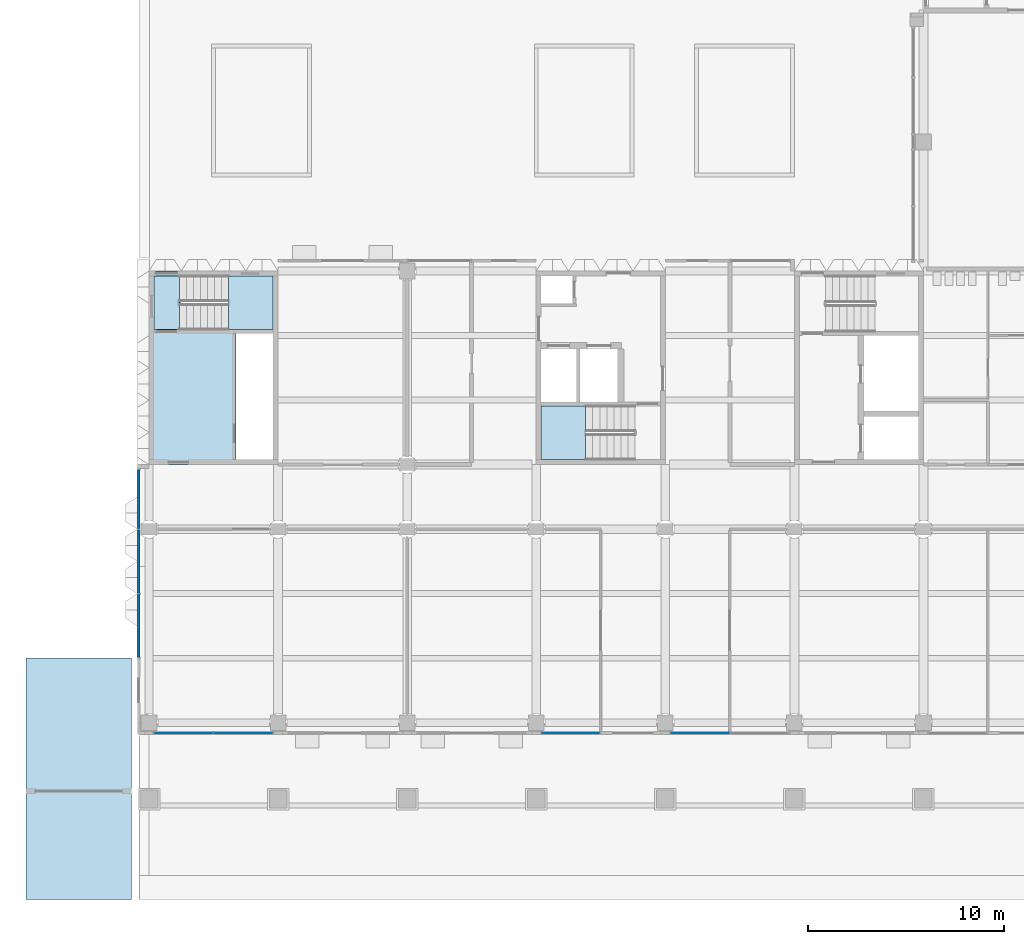
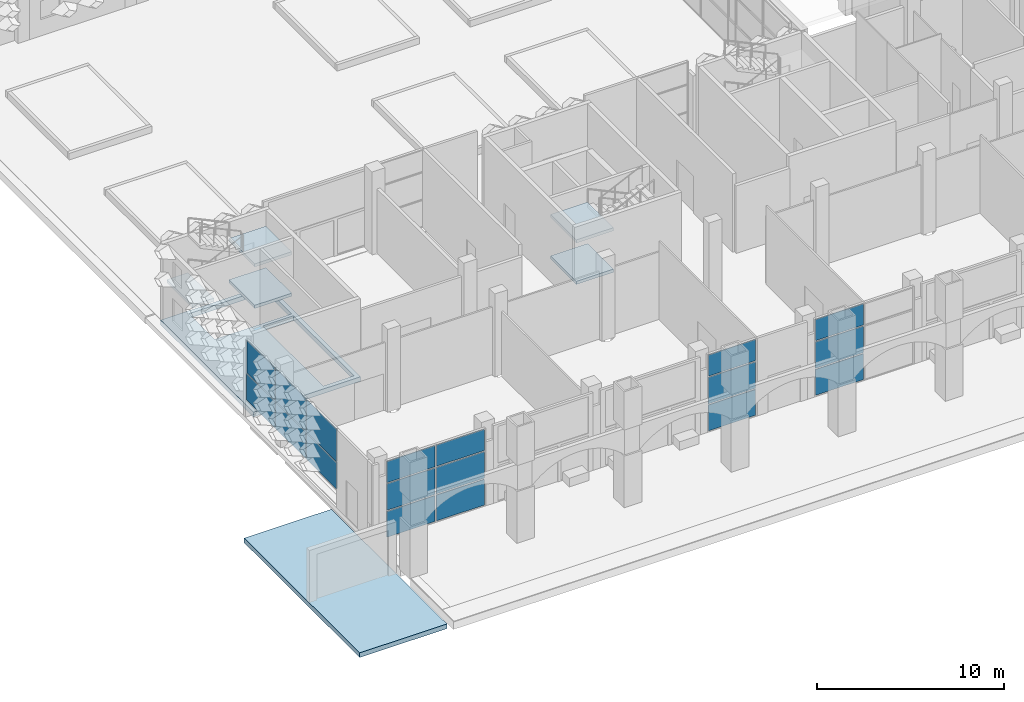
# One storey, part 17 of 85: 18 plates, 7 slabs, 6 elements without a shape of their own.
"""IFC4 building model written with IfcOpenShell, lengths in metres."""

from ifc_helpers import new_model, si_unit, direction, frame, origin, origin_2d, place, context, subcontext, project, spatial, polyline, rectangle, outline, extrude, material, layer, layer_set, type_object, element, aggregate, save


model = new_model("IFC4")

# Units and contexts
model_context = context("Model", 3, precision=1e-05, world=origin(), true_north=direction((0.0, 1.0)))
body_context = subcontext(model_context, "Body", "Model", "MODEL_VIEW")
ifc_project = project(units=[si_unit("LENGTHUNIT", "METRE"), si_unit("AREAUNIT", "SQUARE_METRE"), si_unit("VOLUMEUNIT", "CUBIC_METRE"), si_unit("PLANEANGLEUNIT", "RADIAN"), si_unit("MASSUNIT", "GRAM", prefix="KILO")], contexts=[model_context])

# Site, building, storey
site_placement = place(None, origin())
site = spatial("IfcSite", under=ifc_project, at=site_placement, CompositionType="ELEMENT")
building_placement = place(site_placement, origin())
building = spatial("IfcBuilding", under=site, at=building_placement, Name="Lantern Court Research Institute", CompositionType="ELEMENT")
storey_placement = place(building_placement, origin())
storey = spatial("IfcBuildingStorey", under=building, at=storey_placement, Name="L00", CompositionType="ELEMENT", Elevation=0.0)

# Curtain wall, plates
ifc_material_1 = material(Name="Aluminium alloy 6063-T6", Category="aluminium")
curtain_wall_type_1 = type_object("IfcCurtainWallType", Name="Curtain wall 6150 x 5100 x 150 aluminium frame", PredefinedType="NOTDEFINED", material=ifc_material_1)
curtain_wall_1_placement = place(storey_placement, origin())
curtain_wall_1 = element("IfcCurtainWall", 1, at=curtain_wall_1_placement, inside=storey, type_object=curtain_wall_type_1, Name="Curtain wall CW008", PredefinedType="NOTDEFINED")
ifc_material_2 = material(Name="Laminated low-emissivity glass", Category="glass")
ifc_layer_1 = layer(ifc_material_2, 0.0439453125)
ifc_layer_set_1 = layer_set([ifc_layer_1], Name="Laminated low-emissivity glass")
plate_type_1 = type_object("IfcPlateType", Name="Acoustic laminated unit 44 mm over the arcade", PredefinedType="CURTAIN_PANEL", material=ifc_layer_set_1)
plate_1_placement = place(storey_placement, frame((1.782470703125, -0.52490234375, 0.080078125), z_axis=(0.0, 0.0, 1.0), x_axis=(-1.0, 0.0, 0.0)))
plate_1 = element("IfcPlate", 2, at=plate_1_placement, type_object=plate_type_1, Name="CW008 glazed panel 1.1", PredefinedType="CURTAIN_PANEL", context=body_context, shape_type="SweptSolid", body=[
    extrude(rectangle(XDim=2.955078125, YDim=0.0439453125, at=origin_2d()), origin(), (0.0, 0.0, 1.0), 1.679931640625),
])
plate_2_placement = place(storey_placement, frame((1.782470703125, -0.52490234375, 1.83984375), z_axis=(0.0, 0.0, 1.0), x_axis=(-1.0, 0.0, 0.0)))
plate_2 = element("IfcPlate", 3, at=plate_2_placement, type_object=plate_type_1, Name="CW008 glazed panel 1.2", PredefinedType="CURTAIN_PANEL", context=body_context, shape_type="SweptSolid", body=[
    extrude(rectangle(XDim=2.955078125, YDim=0.0439453125, at=origin_2d()), origin(), (0.0, 0.0, 1.0), 1.719970703125),
])
plate_3_placement = place(storey_placement, frame((1.782470703125, -0.52490234375, 3.64013671875), z_axis=(0.0, 0.0, 1.0), x_axis=(-1.0, 0.0, 0.0)))
plate_3 = element("IfcPlate", 4, at=plate_3_placement, type_object=plate_type_1, Name="CW008 glazed panel 1.3", PredefinedType="CURTAIN_PANEL", context=body_context, shape_type="SweptSolid", body=[
    extrude(rectangle(XDim=2.955078125, YDim=0.0439453125, at=origin_2d()), origin(), (0.0, 0.0, 1.0), 1.3798828125),
])
plate_4_placement = place(storey_placement, frame((4.8173828125, -0.52490234375, 0.080078125), z_axis=(0.0, 0.0, 1.0), x_axis=(-1.0, 0.0, 0.0)))
plate_4 = element("IfcPlate", 5, at=plate_4_placement, type_object=plate_type_1, Name="CW008 glazed panel 2.1", PredefinedType="CURTAIN_PANEL", context=body_context, shape_type="SweptSolid", body=[
    extrude(rectangle(XDim=2.955078125, YDim=0.0439453125, at=origin_2d()), origin(), (0.0, 0.0, 1.0), 1.679931640625),
])
plate_5_placement = place(storey_placement, frame((4.8173828125, -0.52490234375, 1.83984375), z_axis=(0.0, 0.0, 1.0), x_axis=(-1.0, 0.0, 0.0)))
plate_5 = element("IfcPlate", 6, at=plate_5_placement, type_object=plate_type_1, Name="CW008 glazed panel 2.2", PredefinedType="CURTAIN_PANEL", context=body_context, shape_type="SweptSolid", body=[
    extrude(rectangle(XDim=2.955078125, YDim=0.0439453125, at=origin_2d()), origin(), (0.0, 0.0, 1.0), 1.719970703125),
])
plate_6_placement = place(storey_placement, frame((4.8173828125, -0.52490234375, 3.64013671875), z_axis=(0.0, 0.0, 1.0), x_axis=(-1.0, 0.0, 0.0)))
plate_6 = element("IfcPlate", 7, at=plate_6_placement, type_object=plate_type_1, Name="CW008 glazed panel 2.3", PredefinedType="CURTAIN_PANEL", context=body_context, shape_type="SweptSolid", body=[
    extrude(rectangle(XDim=2.955078125, YDim=0.0439453125, at=origin_2d()), origin(), (0.0, 0.0, 1.0), 1.3798828125),
])
aggregate(curtain_wall_1, [plate_1, plate_2, plate_3, plate_4, plate_5, plate_6])

ifc_material_3 = material(Name="Aluminium alloy 6063-T6", Category="aluminium")
curtain_wall_type_2 = type_object("IfcCurtainWallType", Name="Curtain wall 3075 x 5100 x 150 aluminium frame", PredefinedType="NOTDEFINED", material=ifc_material_3)
curtain_wall_2_placement = place(storey_placement, origin())
curtain_wall_2 = element("IfcCurtainWall", 8, at=curtain_wall_2_placement, inside=storey, type_object=curtain_wall_type_2, Name="Curtain wall CW009", PredefinedType="NOTDEFINED")
plate_7_placement = place(storey_placement, frame((21.5625, -0.52490234375, 0.080078125), z_axis=(0.0, 0.0, 1.0), x_axis=(-1.0, 0.0, 0.0)))
plate_7 = element("IfcPlate", 9, at=plate_7_placement, type_object=plate_type_1, Name="CW009 glazed panel 1.1", PredefinedType="CURTAIN_PANEL", context=body_context, shape_type="SweptSolid", body=[
    extrude(rectangle(XDim=2.9150390625, YDim=0.0439453125, at=origin_2d()), origin(), (0.0, 0.0, 1.0), 1.679931640625),
])
plate_8_placement = place(storey_placement, frame((21.5625, -0.52490234375, 1.83984375), z_axis=(0.0, 0.0, 1.0), x_axis=(-1.0, 0.0, 0.0)))
plate_8 = element("IfcPlate", 10, at=plate_8_placement, type_object=plate_type_1, Name="CW009 glazed panel 1.2", PredefinedType="CURTAIN_PANEL", context=body_context, shape_type="SweptSolid", body=[
    extrude(rectangle(XDim=2.9150390625, YDim=0.0439453125, at=origin_2d()), origin(), (0.0, 0.0, 1.0), 1.719970703125),
])
plate_9_placement = place(storey_placement, frame((21.5625, -0.52490234375, 3.64013671875), z_axis=(0.0, 0.0, 1.0), x_axis=(-1.0, 0.0, 0.0)))
plate_9 = element("IfcPlate", 11, at=plate_9_placement, type_object=plate_type_1, Name="CW009 glazed panel 1.3", PredefinedType="CURTAIN_PANEL", context=body_context, shape_type="SweptSolid", body=[
    extrude(rectangle(XDim=2.9150390625, YDim=0.0439453125, at=origin_2d()), origin(), (0.0, 0.0, 1.0), 1.3798828125),
])
aggregate(curtain_wall_2, [plate_7, plate_8, plate_9])

curtain_wall_3_placement = place(storey_placement, origin())
curtain_wall_3 = element("IfcCurtainWall", 12, at=curtain_wall_3_placement, inside=storey, type_object=curtain_wall_type_1, Name="Curtain wall CW010", PredefinedType="NOTDEFINED")
plate_10_placement = place(storey_placement, frame((28.1826171875, -0.52490234375, 0.080078125), z_axis=(0.0, 0.0, 1.0), x_axis=(-1.0, 0.0, 0.0)))
plate_10 = element("IfcPlate", 13, at=plate_10_placement, type_object=plate_type_1, Name="CW010 glazed panel 1.1", PredefinedType="CURTAIN_PANEL", context=body_context, shape_type="SweptSolid", body=[
    extrude(rectangle(XDim=2.955078125, YDim=0.0439453125, at=origin_2d()), origin(), (0.0, 0.0, 1.0), 1.679931640625),
])
plate_11_placement = place(storey_placement, frame((28.1826171875, -0.52490234375, 1.83984375), z_axis=(0.0, 0.0, 1.0), x_axis=(-1.0, 0.0, 0.0)))
plate_11 = element("IfcPlate", 14, at=plate_11_placement, type_object=plate_type_1, Name="CW010 glazed panel 1.2", PredefinedType="CURTAIN_PANEL", context=body_context, shape_type="SweptSolid", body=[
    extrude(rectangle(XDim=2.955078125, YDim=0.0439453125, at=origin_2d()), origin(), (0.0, 0.0, 1.0), 1.719970703125),
])
plate_12_placement = place(storey_placement, frame((28.1826171875, -0.52490234375, 3.64013671875), z_axis=(0.0, 0.0, 1.0), x_axis=(-1.0, 0.0, 0.0)))
plate_12 = element("IfcPlate", 15, at=plate_12_placement, type_object=plate_type_1, Name="CW010 glazed panel 1.3", PredefinedType="CURTAIN_PANEL", context=body_context, shape_type="SweptSolid", body=[
    extrude(rectangle(XDim=2.955078125, YDim=0.0439453125, at=origin_2d()), origin(), (0.0, 0.0, 1.0), 1.3798828125),
])
aggregate(curtain_wall_3, [plate_10, plate_11, plate_12])

# Slab
ifc_material_4 = material(Name="Concrete C35/45", Category="concrete")
ifc_layer_2 = layer(ifc_material_4, 0.300048828125)
ifc_layer_set_2 = layer_set([ifc_layer_2], Name="Concrete C35/45")
slab_type_1 = type_object("IfcSlabType", Name="Apron slab 300", PredefinedType="BASESLAB", material=ifc_layer_set_2)
slab_1_placement = place(storey_placement, frame((0.0, 0.0, -0.300048828125)))
element("IfcSlab", 16, at=slab_1_placement, inside=storey, type_object=slab_type_1, Name="Ramp apron slab AS1", PredefinedType="BASESLAB", context=body_context, shape_type="SweptSolid", body=[
    extrude(outline(polyline([(-6.280029296875, -9.030029296875), (-0.89990234375, -9.030029296875), (-0.89990234375, 3.300048828125), (-6.280029296875, 3.300048828125), (-6.280029296875, -9.030029296875)])), origin(), (0.0, 0.0, 1.0), 0.300048828125),
])

# Curtain wall, plates
ifc_material_5 = material(Name="Aluminium alloy 6063-T6", Category="aluminium")
curtain_wall_type_3 = type_object("IfcCurtainWallType", Name="Curtain wall 9700 x 4000 x 150 aluminium frame", PredefinedType="NOTDEFINED", material=ifc_material_5)
curtain_wall_4_placement = place(storey_placement, origin())
curtain_wall_4 = element("IfcCurtainWall", 17, at=curtain_wall_4_placement, inside=storey, type_object=curtain_wall_type_3, Name="Curtain wall CW013", PredefinedType="NOTDEFINED")
ifc_material_6 = material(Name="Insulated aluminium spandrel panel", Category="aluminium")
ifc_layer_3 = layer(ifc_material_6, 0.080078125)
ifc_layer_set_3 = layer_set([ifc_layer_3], Name="Insulated aluminium spandrel panel")
plate_type_2 = type_object("IfcPlateType", Name="Insulated spandrel panel 80 mm", PredefinedType="CURTAIN_PANEL", material=ifc_layer_set_3)
plate_13_placement = place(storey_placement, frame((-0.52490234375, 4.965087890625, 1.159912109375), z_axis=(0.0, 0.0, 1.0), x_axis=(0.0, 1.0, 0.0)))
plate_13 = element("IfcPlate", 18, at=plate_13_placement, type_object=plate_type_2, Name="CW013 spandrel panel 1.1", PredefinedType="CURTAIN_PANEL", context=body_context, shape_type="SweptSolid", body=[
    extrude(rectangle(XDim=3.2099609375, YDim=0.080078125, at=origin_2d()), origin(), (0.0, 0.0, 1.0), 1.7099609375),
])
plate_14_placement = place(storey_placement, frame((-0.52490234375, 8.25, 1.159912109375), z_axis=(0.0, 0.0, 1.0), x_axis=(0.0, 1.0, 0.0)))
plate_14 = element("IfcPlate", 19, at=plate_14_placement, type_object=plate_type_2, Name="CW013 spandrel panel 2.1", PredefinedType="CURTAIN_PANEL", context=body_context, shape_type="SweptSolid", body=[
    extrude(rectangle(XDim=3.239990234375, YDim=0.080078125, at=origin_2d()), origin(), (0.0, 0.0, 1.0), 1.7099609375),
])
plate_15_placement = place(storey_placement, frame((-0.52490234375, 11.43505859375, 1.159912109375), z_axis=(0.0, 0.0, 1.0), x_axis=(0.0, 1.0, 0.0)))
plate_15 = element("IfcPlate", 20, at=plate_15_placement, type_object=plate_type_2, Name="CW013 spandrel panel 3.1", PredefinedType="CURTAIN_PANEL", context=body_context, shape_type="SweptSolid", body=[
    extrude(rectangle(XDim=3.010009765625, YDim=0.080078125, at=origin_2d()), origin(), (0.0, 0.0, 1.0), 1.7099609375),
])
ifc_material_7 = material(Name="Laminated low-emissivity glass", Category="glass")
ifc_layer_4 = layer(ifc_material_7, 0.031982421875)
ifc_layer_set_4 = layer_set([ifc_layer_4], Name="Laminated low-emissivity glass")
plate_type_3 = type_object("IfcPlateType", Name="Laminated low-emissivity unit 32 mm", PredefinedType="CURTAIN_PANEL", material=ifc_layer_set_4)
plate_16_placement = place(storey_placement, frame((-0.52490234375, 4.965087890625, 2.93017578125), z_axis=(0.0, 0.0, 1.0), x_axis=(0.0, 1.0, 0.0)))
plate_16 = element("IfcPlate", 21, at=plate_16_placement, type_object=plate_type_3, Name="CW013 glazed panel 1.2", PredefinedType="CURTAIN_PANEL", context=body_context, shape_type="SweptSolid", body=[
    extrude(rectangle(XDim=3.2099609375, YDim=0.031982421875, at=origin_2d()), origin(), (0.0, 0.0, 1.0), 2.110107421875),
])
plate_17_placement = place(storey_placement, frame((-0.52490234375, 8.25, 2.93017578125), z_axis=(0.0, 0.0, 1.0), x_axis=(0.0, 1.0, 0.0)))
plate_17 = element("IfcPlate", 22, at=plate_17_placement, type_object=plate_type_3, Name="CW013 glazed panel 2.2", PredefinedType="CURTAIN_PANEL", context=body_context, shape_type="SweptSolid", body=[
    extrude(rectangle(XDim=3.239990234375, YDim=0.031982421875, at=origin_2d()), origin(), (0.0, 0.0, 1.0), 2.110107421875),
])
plate_18_placement = place(storey_placement, frame((-0.52490234375, 11.43505859375, 2.93017578125), z_axis=(0.0, 0.0, 1.0), x_axis=(0.0, 1.0, 0.0)))
plate_18 = element("IfcPlate", 23, at=plate_18_placement, type_object=plate_type_3, Name="CW013 glazed panel 3.2", PredefinedType="CURTAIN_PANEL", context=body_context, shape_type="SweptSolid", body=[
    extrude(rectangle(XDim=3.010009765625, YDim=0.031982421875, at=origin_2d()), origin(), (0.0, 0.0, 1.0), 2.110107421875),
])
aggregate(curtain_wall_4, [plate_13, plate_16, plate_14, plate_17, plate_15, plate_18])

# Slab
ifc_material_8 = material(Name="Concrete C35/45", Category="concrete")
ifc_layer_5 = layer(ifc_material_8, 0.300048828125)
ifc_layer_set_5 = layer_set([ifc_layer_5], Name="Concrete C35/45")
slab_type_2 = type_object("IfcSlabType", Name="RC core floor slab 300", PredefinedType="FLOOR", material=ifc_layer_set_5)
slab_2_placement = place(storey_placement, frame((0.0, 0.0, -0.300048828125)))
element("IfcSlab", 24, at=slab_2_placement, inside=storey, type_object=slab_type_2, Name="Floor of core BC-W", PredefinedType="FLOOR", context=body_context, shape_type="SweptSolid", body=[
    extrude(outline(polyline([(0.0, 13.199951171875), (6.60009765625, 13.199951171875), (6.60009765625, 23.10009765625), (0.0, 23.10009765625), (0.0, 13.199951171875)]), holes=[polyline([(1.60009765625, 20.10009765625), (6.35009765625, 20.10009765625), (6.35009765625, 22.85009765625), (1.60009765625, 22.85009765625), (1.60009765625, 20.10009765625)]), polyline([(4.449951171875, 13.449951171875), (4.449951171875, 19.89990234375), (6.35009765625, 19.89990234375), (6.35009765625, 13.449951171875), (4.449951171875, 13.449951171875)])]), origin(), (0.0, 0.0, 1.0), 0.300048828125),
])

# Stair, slabs
ifc_material_9 = material(Name="Concrete C40/50", Category="concrete")
stair_type = type_object("IfcStairType", Name="RC half-turn stair 1300 wide, 5400 rise, 6100 shaft", PredefinedType="HALF_TURN_STAIR", material=ifc_material_9)
stair_1_placement = place(storey_placement, origin())
stair_1 = element("IfcStair", 25, at=stair_1_placement, inside=storey, type_object=stair_type, Name="L00 stair ST-B1", PredefinedType="HALF_TURN_STAIR")
ifc_material_10 = material(Name="Concrete C40/50", Category="concrete")
ifc_layer_6 = layer(ifc_material_10, 0.199951171875)
ifc_layer_set_6 = layer_set([ifc_layer_6], Name="Concrete C40/50")
slab_type_3 = type_object("IfcSlabType", Name="RC stair landing 200", PredefinedType="LANDING", material=ifc_layer_set_6)
slab_3_placement = place(storey_placement, frame((0.0, 0.0, 1.14990234375)))
slab_3 = element("IfcSlab", 26, at=slab_3_placement, type_object=slab_type_3, Name="ST-B1 landing 1", PredefinedType="LANDING", context=body_context, shape_type="SweptSolid", body=[
    extrude(outline(polyline([(4.070068359375, 20.10009765625), (6.35009765625, 20.10009765625), (6.35009765625, 22.85009765625), (4.070068359375, 22.85009765625), (4.070068359375, 20.10009765625)])), origin(), (0.0, 0.0, 1.0), 0.2001953125),
])
slab_4_placement = place(storey_placement, frame((0.0, 0.0, 2.5)))
slab_4 = element("IfcSlab", 27, at=slab_4_placement, type_object=slab_type_3, Name="ST-B1 landing 2", PredefinedType="LANDING", context=body_context, shape_type="SweptSolid", body=[
    extrude(outline(polyline([(0.25, 20.10009765625), (1.550048828125, 20.10009765625), (1.550048828125, 22.85009765625), (0.25, 22.85009765625), (0.25, 20.10009765625)])), origin(), (0.0, 0.0, 1.0), 0.199951171875),
])
slab_5_placement = place(storey_placement, frame((0.0, 0.0, 3.85009765625)))
slab_5 = element("IfcSlab", 28, at=slab_5_placement, type_object=slab_type_3, Name="ST-B1 landing 3", PredefinedType="LANDING", context=body_context, shape_type="SweptSolid", body=[
    extrude(outline(polyline([(4.070068359375, 20.10009765625), (6.35009765625, 20.10009765625), (6.35009765625, 22.85009765625), (4.070068359375, 22.85009765625), (4.070068359375, 20.10009765625)])), origin(), (0.0, 0.0, 1.0), 0.199951171875),
])
aggregate(stair_1, [slab_3, slab_4, slab_5])

stair_2_placement = place(storey_placement, origin())
stair_2 = element("IfcStair", 29, at=stair_2_placement, inside=storey, type_object=stair_type, Name="L00 stair ST-B2", PredefinedType="HALF_TURN_STAIR")
slab_6_placement = place(storey_placement, frame((0.0, 0.0, 1.14990234375)))
slab_6 = element("IfcSlab", 30, at=slab_6_placement, type_object=slab_type_3, Name="ST-B2 landing 1", PredefinedType="LANDING", context=body_context, shape_type="SweptSolid", body=[
    extrude(outline(polyline([(22.330078125, 16.199951171875), (20.050048828125, 16.199951171875), (20.050048828125, 13.449951171875), (22.330078125, 13.449951171875), (22.330078125, 16.199951171875)])), origin(), (0.0, 0.0, 1.0), 0.2001953125),
])
slab_7_placement = place(storey_placement, frame((0.0, 0.0, 3.85009765625)))
slab_7 = element("IfcSlab", 31, at=slab_7_placement, type_object=slab_type_3, Name="ST-B2 landing 3", PredefinedType="LANDING", context=body_context, shape_type="SweptSolid", body=[
    extrude(outline(polyline([(22.330078125, 16.199951171875), (20.050048828125, 16.199951171875), (20.050048828125, 13.449951171875), (22.330078125, 13.449951171875), (22.330078125, 16.199951171875)])), origin(), (0.0, 0.0, 1.0), 0.199951171875),
])
aggregate(stair_2, [slab_6, slab_7])

save(model, "model.ifc")
